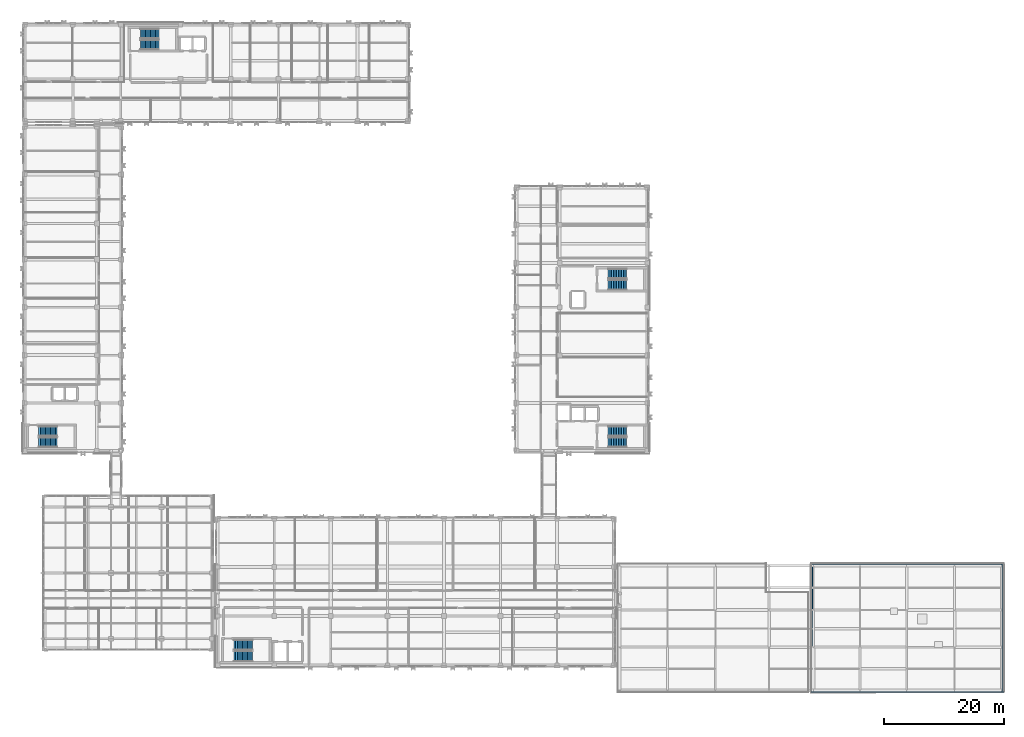
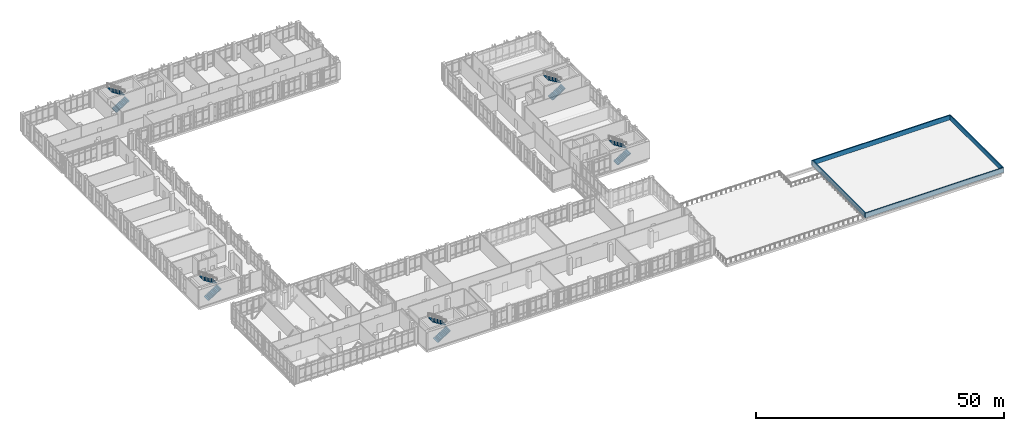
# One storey, part 140 of 165: 10 stair flights, 4 walls, 5 elements without a shape of their own.
"""IFC4 building model written with IfcOpenShell, lengths in metres."""

from ifc_helpers import new_model, si_unit, direction, frame, frame_2d, origin, place, context, subcontext, project, spatial, polyline, rectangle, outline, extrude, material, layer, layer_set, type_object, element, aggregate, save


model = new_model("IFC4")

# Units and contexts
model_context = context("Model", 3, precision=1e-05, world=origin(), true_north=direction((0.0, 1.0)))
body_context = subcontext(model_context, "Body", "Model", "MODEL_VIEW")
ifc_project = project(units=[si_unit("LENGTHUNIT", "METRE"), si_unit("AREAUNIT", "SQUARE_METRE"), si_unit("VOLUMEUNIT", "CUBIC_METRE"), si_unit("PLANEANGLEUNIT", "RADIAN"), si_unit("MASSUNIT", "GRAM", prefix="KILO")], contexts=[model_context])

# Site, building, storey
site_placement = place(None, origin())
site = spatial("IfcSite", under=ifc_project, at=site_placement, CompositionType="ELEMENT")
building_placement = place(site_placement, origin())
building = spatial("IfcBuilding", under=site, at=building_placement, Name="Qalavern Law Courts", CompositionType="ELEMENT")
storey_placement = place(building_placement, frame((0.0, 0.0, 14.39990234375)))
storey = spatial("IfcBuildingStorey", under=building, at=storey_placement, Name="L03", CompositionType="ELEMENT", Elevation=14.39990234375)

# Walls
ifc_material_1 = material(Name="Concrete C40/50", Category="concrete")
ifc_layer = layer(ifc_material_1, 0.25)
ifc_layer_set = layer_set([ifc_layer], Name="Concrete C40/50")
wall_type = type_object("IfcWallType", Name="ENV-PAR-250", PredefinedType="PARAPET", material=ifc_layer_set)
wall_1_placement = place(storey_placement, frame((133.800048828125, 1.125, 0.0), z_axis=(0.0, 0.0, 1.0), x_axis=(1.0, 0.0, 0.0)))
element("IfcWall", 1, at=wall_1_placement, inside=storey, type_object=wall_type, Name="V6 roof parapet L03 S", PredefinedType="PARAPET", context=body_context, shape_type="SweptSolid", body=[
    extrude(rectangle(XDim=32.199951171875, YDim=0.25, at=frame_2d((16.10009765625, 0.0))), origin(), (0.0, 0.0, 1.0), 1.150146484375),
])
wall_2_placement = place(storey_placement, frame((165.875, 1.25, 0.0), z_axis=(0.0, 0.0, 1.0), x_axis=(0.0, 1.0, 0.0)))
element("IfcWall", 2, at=wall_2_placement, inside=storey, type_object=wall_type, Name="V6 roof parapet L03 E", PredefinedType="PARAPET", context=body_context, shape_type="SweptSolid", body=[
    extrude(rectangle(XDim=21.10009765625, YDim=0.25, at=frame_2d((10.550048828125, 0.0))), origin(), (0.0, 0.0, 1.0), 1.150146484375),
])
wall_3_placement = place(storey_placement, frame((166.0, 22.47509765625, 0.0), z_axis=(0.0, 0.0, 1.0), x_axis=(-1.0, 0.0, 0.0)))
element("IfcWall", 3, at=wall_3_placement, inside=storey, type_object=wall_type, Name="V6 roof parapet L03 N", PredefinedType="PARAPET", context=body_context, shape_type="SweptSolid", body=[
    extrude(rectangle(XDim=32.199951171875, YDim=0.25, at=frame_2d((16.10009765625, 0.0))), origin(), (0.0, 0.0, 1.0), 1.150146484375),
])
wall_4_placement = place(storey_placement, frame((133.925048828125, 22.35009765625, 0.0), z_axis=(0.0, 0.0, 1.0), x_axis=(0.0, -1.0, 0.0)))
element("IfcWall", 4, at=wall_4_placement, inside=storey, type_object=wall_type, Name="V6 roof parapet L03 W", PredefinedType="PARAPET", context=body_context, shape_type="SweptSolid", body=[
    extrude(rectangle(XDim=21.10009765625, YDim=0.25, at=frame_2d((10.550048828125, 0.0))), origin(), (0.0, 0.0, 1.0), 1.150146484375),
])

# Stair, stair flights
ifc_material_2 = material(Name="Concrete C35/45", Category="concrete")
stair_type_1 = type_object("IfcStairType", Name="INT-STAIR-1700", PredefinedType="HALF_TURN_STAIR", material=ifc_material_2)
stair_1_placement = place(storey_placement, origin())
stair_1 = element("IfcStair", 5, at=stair_1_placement, inside=storey, type_object=stair_type_1, Name="L03 ST-K1A", PredefinedType="HALF_TURN_STAIR")
stair_flight_type_1 = type_object("IfcStairFlightType", Name="INT-FLIGHT-1700", PredefinedType="STRAIGHT", material=ifc_material_2)
stair_flight_1_placement = place(storey_placement, frame((99.89990234375, 42.85009765625, 0.0), z_axis=(0.0, 0.0, 1.0), x_axis=(1.0, 0.0, 0.0)))
stair_flight_1 = element("IfcStairFlight", 6, at=stair_flight_1_placement, type_object=stair_flight_type_1, Name="ST-K1A flight 1", NumberOfRisers=12, NumberOfTreads=11, PredefinedType="STRAIGHT", RiserHeight=0.175, TreadLength=0.28, context=body_context, shape_type="SweptSolid", body=[
    extrude(outline(polyline([(0.0, 0.0), (0.0, 0.175048828125), (0.280029296875, 0.175048828125), (0.280029296875, 0.35009765625), (0.56005859375, 0.35009765625), (0.56005859375, 0.52490234375), (0.840087890625, 0.52490234375), (0.840087890625, 0.699951171875), (1.1201171875, 0.699951171875), (1.1201171875, 0.875), (1.39990234375, 0.875), (1.39990234375, 1.050048828125), (1.679931640625, 1.050048828125), (1.679931640625, 1.22509765625), (1.9599609375, 1.22509765625), (1.9599609375, 1.39990234375), (2.239990234375, 1.39990234375), (2.239990234375, 1.574951171875), (2.52001953125, 1.574951171875), (2.52001953125, 1.75), (2.800048828125, 1.75), (2.800048828125, 1.925048828125), (3.080078125, 1.925048828125), (3.080078125, 2.10009765625), (3.080078125, 1.748291015625), (0.28271484375, 0.0), (0.0, 0.0)])), frame((0.0, 0.85009765625, 0.0), z_axis=(0.0, -1.0, 0.0), x_axis=(1.0, 0.0, 0.0)), (0.0, 0.0, 1.0), 1.699951171875),
])
stair_flight_2_placement = place(storey_placement, frame((102.97998046875, 44.699951171875, 2.10009765625), z_axis=(0.0, 0.0, 1.0), x_axis=(-1.0, 0.0, 0.0)))
stair_flight_2 = element("IfcStairFlight", 7, at=stair_flight_2_placement, type_object=stair_flight_type_1, Name="ST-K1A flight 2", NumberOfRisers=12, NumberOfTreads=11, PredefinedType="STRAIGHT", RiserHeight=0.175, TreadLength=0.28, context=body_context, shape_type="SweptSolid", body=[
    extrude(outline(polyline([(0.0, 0.0), (0.0, 0.175048828125), (0.280029296875, 0.175048828125), (0.280029296875, 0.35009765625), (0.56005859375, 0.35009765625), (0.56005859375, 0.52490234375), (0.840087890625, 0.52490234375), (0.840087890625, 0.699951171875), (1.1201171875, 0.699951171875), (1.1201171875, 0.875), (1.39990234375, 0.875), (1.39990234375, 1.050048828125), (1.679931640625, 1.050048828125), (1.679931640625, 1.22509765625), (1.9599609375, 1.22509765625), (1.9599609375, 1.39990234375), (2.239990234375, 1.39990234375), (2.239990234375, 1.574951171875), (2.52001953125, 1.574951171875), (2.52001953125, 1.75), (2.800048828125, 1.75), (2.800048828125, 1.925048828125), (3.080078125, 1.925048828125), (3.080078125, 2.10009765625), (3.080078125, 1.748291015625), (0.28271484375, 0.0), (0.0, 0.0)])), frame((0.0, 0.85009765625, 0.0), z_axis=(0.0, -1.0, 0.0), x_axis=(1.0, 0.0, 0.0)), (0.0, 0.0, 1.0), 1.699951171875),
])
aggregate(stair_1, [stair_flight_1, stair_flight_2])

stair_2_placement = place(storey_placement, origin())
stair_2 = element("IfcStair", 8, at=stair_2_placement, inside=storey, type_object=stair_type_1, Name="L03 ST-K1B", PredefinedType="HALF_TURN_STAIR")
stair_flight_3_placement = place(storey_placement, frame((99.89990234375, 69.14990234375, 0.0), z_axis=(0.0, 0.0, 1.0), x_axis=(1.0, 0.0, 0.0)))
stair_flight_3 = element("IfcStairFlight", 9, at=stair_flight_3_placement, type_object=stair_flight_type_1, Name="ST-K1B flight 1", NumberOfRisers=12, NumberOfTreads=11, PredefinedType="STRAIGHT", RiserHeight=0.175, TreadLength=0.28, context=body_context, shape_type="SweptSolid", body=[
    extrude(outline(polyline([(0.0, 0.0), (0.0, 0.175048828125), (0.280029296875, 0.175048828125), (0.280029296875, 0.35009765625), (0.56005859375, 0.35009765625), (0.56005859375, 0.52490234375), (0.840087890625, 0.52490234375), (0.840087890625, 0.699951171875), (1.1201171875, 0.699951171875), (1.1201171875, 0.875), (1.39990234375, 0.875), (1.39990234375, 1.050048828125), (1.679931640625, 1.050048828125), (1.679931640625, 1.22509765625), (1.9599609375, 1.22509765625), (1.9599609375, 1.39990234375), (2.239990234375, 1.39990234375), (2.239990234375, 1.574951171875), (2.52001953125, 1.574951171875), (2.52001953125, 1.75), (2.800048828125, 1.75), (2.800048828125, 1.925048828125), (3.080078125, 1.925048828125), (3.080078125, 2.10009765625), (3.080078125, 1.748291015625), (0.28271484375, 0.0), (0.0, 0.0)])), frame((0.0, 0.85009765625, 0.0), z_axis=(0.0, -1.0, 0.0), x_axis=(1.0, 0.0, 0.0)), (0.0, 0.0, 1.0), 1.699951171875),
])
stair_flight_4_placement = place(storey_placement, frame((102.97998046875, 71.0, 2.10009765625), z_axis=(0.0, 0.0, 1.0), x_axis=(-1.0, 0.0, 0.0)))
stair_flight_4 = element("IfcStairFlight", 10, at=stair_flight_4_placement, type_object=stair_flight_type_1, Name="ST-K1B flight 2", NumberOfRisers=12, NumberOfTreads=11, PredefinedType="STRAIGHT", RiserHeight=0.175, TreadLength=0.28, context=body_context, shape_type="SweptSolid", body=[
    extrude(outline(polyline([(0.0, 0.0), (0.0, 0.175048828125), (0.280029296875, 0.175048828125), (0.280029296875, 0.35009765625), (0.56005859375, 0.35009765625), (0.56005859375, 0.52490234375), (0.840087890625, 0.52490234375), (0.840087890625, 0.699951171875), (1.1201171875, 0.699951171875), (1.1201171875, 0.875), (1.39990234375, 0.875), (1.39990234375, 1.050048828125), (1.679931640625, 1.050048828125), (1.679931640625, 1.22509765625), (1.9599609375, 1.22509765625), (1.9599609375, 1.39990234375), (2.239990234375, 1.39990234375), (2.239990234375, 1.574951171875), (2.52001953125, 1.574951171875), (2.52001953125, 1.75), (2.800048828125, 1.75), (2.800048828125, 1.925048828125), (3.080078125, 1.925048828125), (3.080078125, 2.10009765625), (3.080078125, 1.748291015625), (0.28271484375, 0.0), (0.0, 0.0)])), frame((0.0, 0.85009765625, 0.0), z_axis=(0.0, -1.0, 0.0), x_axis=(1.0, 0.0, 0.0)), (0.0, 0.0, 1.0), 1.699951171875),
])
aggregate(stair_2, [stair_flight_3, stair_flight_4])

stair_3_placement = place(storey_placement, origin())
stair_3 = element("IfcStair", 11, at=stair_3_placement, inside=storey, type_object=stair_type_1, Name="L03 ST-K2", PredefinedType="HALF_TURN_STAIR")
stair_flight_5_placement = place(storey_placement, frame((4.699951171875, 42.85009765625, 0.0), z_axis=(0.0, 0.0, 1.0), x_axis=(1.0, 0.0, 0.0)))
stair_flight_5 = element("IfcStairFlight", 12, at=stair_flight_5_placement, type_object=stair_flight_type_1, Name="ST-K2 flight 1", NumberOfRisers=12, NumberOfTreads=11, PredefinedType="STRAIGHT", RiserHeight=0.175, TreadLength=0.28, context=body_context, shape_type="SweptSolid", body=[
    extrude(outline(polyline([(0.0, 0.0), (0.0, 0.175048828125), (0.280029296875, 0.175048828125), (0.280029296875, 0.35009765625), (0.56005859375, 0.35009765625), (0.56005859375, 0.52490234375), (0.840087890625, 0.52490234375), (0.840087890625, 0.699951171875), (1.1201171875, 0.699951171875), (1.1201171875, 0.875), (1.39990234375, 0.875), (1.39990234375, 1.050048828125), (1.679931640625, 1.050048828125), (1.679931640625, 1.22509765625), (1.9599609375, 1.22509765625), (1.9599609375, 1.39990234375), (2.239990234375, 1.39990234375), (2.239990234375, 1.574951171875), (2.52001953125, 1.574951171875), (2.52001953125, 1.75), (2.800048828125, 1.75), (2.800048828125, 1.925048828125), (3.080078125, 1.925048828125), (3.080078125, 2.10009765625), (3.080078125, 1.748291015625), (0.28271484375, 0.0), (0.0, 0.0)])), frame((0.0, 0.85009765625, 0.0), z_axis=(0.0, -1.0, 0.0), x_axis=(1.0, 0.0, 0.0)), (0.0, 0.0, 1.0), 1.699951171875),
])
stair_flight_6_placement = place(storey_placement, frame((7.780029296875, 44.699951171875, 2.10009765625), z_axis=(0.0, 0.0, 1.0), x_axis=(-1.0, 0.0, 0.0)))
stair_flight_6 = element("IfcStairFlight", 13, at=stair_flight_6_placement, type_object=stair_flight_type_1, Name="ST-K2 flight 2", NumberOfRisers=12, NumberOfTreads=11, PredefinedType="STRAIGHT", RiserHeight=0.175, TreadLength=0.28, context=body_context, shape_type="SweptSolid", body=[
    extrude(outline(polyline([(0.0, 0.0), (0.0, 0.175048828125), (0.280029296875, 0.175048828125), (0.280029296875, 0.35009765625), (0.56005859375, 0.35009765625), (0.56005859375, 0.52490234375), (0.840087890625, 0.52490234375), (0.840087890625, 0.699951171875), (1.1201171875, 0.699951171875), (1.1201171875, 0.875), (1.39990234375, 0.875), (1.39990234375, 1.050048828125), (1.679931640625, 1.050048828125), (1.679931640625, 1.22509765625), (1.9599609375, 1.22509765625), (1.9599609375, 1.39990234375), (2.239990234375, 1.39990234375), (2.239990234375, 1.574951171875), (2.52001953125, 1.574951171875), (2.52001953125, 1.75), (2.800048828125, 1.75), (2.800048828125, 1.925048828125), (3.080078125, 1.925048828125), (3.080078125, 2.10009765625), (3.080078125, 1.748291015625), (0.28271484375, 0.0), (0.0, 0.0)])), frame((0.0, 0.85009765625, 0.0), z_axis=(0.0, -1.0, 0.0), x_axis=(1.0, 0.0, 0.0)), (0.0, 0.0, 1.0), 1.699951171875),
])
aggregate(stair_3, [stair_flight_5, stair_flight_6])

stair_4_placement = place(storey_placement, origin())
stair_4 = element("IfcStair", 14, at=stair_4_placement, inside=storey, type_object=stair_type_1, Name="L03 ST-K3", PredefinedType="HALF_TURN_STAIR")
stair_flight_7_placement = place(storey_placement, frame((21.699951171875, 109.300048828125, 0.0), z_axis=(0.0, 0.0, 1.0), x_axis=(1.0, 0.0, 0.0)))
stair_flight_7 = element("IfcStairFlight", 15, at=stair_flight_7_placement, type_object=stair_flight_type_1, Name="ST-K3 flight 1", NumberOfRisers=12, NumberOfTreads=11, PredefinedType="STRAIGHT", RiserHeight=0.175, TreadLength=0.28, context=body_context, shape_type="SweptSolid", body=[
    extrude(outline(polyline([(0.0, 0.0), (0.0, 0.175048828125), (0.280029296875, 0.175048828125), (0.280029296875, 0.35009765625), (0.56005859375, 0.35009765625), (0.56005859375, 0.52490234375), (0.840087890625, 0.52490234375), (0.840087890625, 0.699951171875), (1.1201171875, 0.699951171875), (1.1201171875, 0.875), (1.39990234375, 0.875), (1.39990234375, 1.050048828125), (1.679931640625, 1.050048828125), (1.679931640625, 1.22509765625), (1.9599609375, 1.22509765625), (1.9599609375, 1.39990234375), (2.239990234375, 1.39990234375), (2.239990234375, 1.574951171875), (2.52001953125, 1.574951171875), (2.52001953125, 1.75), (2.800048828125, 1.75), (2.800048828125, 1.925048828125), (3.080078125, 1.925048828125), (3.080078125, 2.10009765625), (3.080078125, 1.748291015625), (0.28271484375, 0.0), (0.0, 0.0)])), frame((0.0, 0.85009765625, 0.0), z_axis=(0.0, -1.0, 0.0), x_axis=(1.0, 0.0, 0.0)), (0.0, 0.0, 1.0), 1.699951171875),
])
stair_flight_8_placement = place(storey_placement, frame((24.780029296875, 111.14990234375, 2.10009765625), z_axis=(0.0, 0.0, 1.0), x_axis=(-1.0, 0.0, 0.0)))
stair_flight_8 = element("IfcStairFlight", 16, at=stair_flight_8_placement, type_object=stair_flight_type_1, Name="ST-K3 flight 2", NumberOfRisers=12, NumberOfTreads=11, PredefinedType="STRAIGHT", RiserHeight=0.175, TreadLength=0.28, context=body_context, shape_type="SweptSolid", body=[
    extrude(outline(polyline([(0.0, 0.0), (0.0, 0.175048828125), (0.280029296875, 0.175048828125), (0.280029296875, 0.35009765625), (0.56005859375, 0.35009765625), (0.56005859375, 0.52490234375), (0.840087890625, 0.52490234375), (0.840087890625, 0.699951171875), (1.1201171875, 0.699951171875), (1.1201171875, 0.875), (1.39990234375, 0.875), (1.39990234375, 1.050048828125), (1.679931640625, 1.050048828125), (1.679931640625, 1.22509765625), (1.9599609375, 1.22509765625), (1.9599609375, 1.39990234375), (2.239990234375, 1.39990234375), (2.239990234375, 1.574951171875), (2.52001953125, 1.574951171875), (2.52001953125, 1.75), (2.800048828125, 1.75), (2.800048828125, 1.925048828125), (3.080078125, 1.925048828125), (3.080078125, 2.10009765625), (3.080078125, 1.748291015625), (0.28271484375, 0.0), (0.0, 0.0)])), frame((0.0, 0.85009765625, 0.0), z_axis=(0.0, -1.0, 0.0), x_axis=(1.0, 0.0, 0.0)), (0.0, 0.0, 1.0), 1.699951171875),
])
aggregate(stair_4, [stair_flight_7, stair_flight_8])

stair_type_2 = type_object("IfcStairType", Name="INT-STAIR-1750", PredefinedType="HALF_TURN_STAIR", material=ifc_material_2)
stair_5_placement = place(storey_placement, origin())
stair_5 = element("IfcStair", 17, at=stair_5_placement, inside=storey, type_object=stair_type_2, Name="L03 ST-K4", PredefinedType="HALF_TURN_STAIR")
stair_flight_type_2 = type_object("IfcStairFlightType", Name="INT-FLIGHT-1750", PredefinedType="STRAIGHT", material=ifc_material_2)
stair_flight_9_placement = place(storey_placement, frame((37.35009765625, 7.074951171875, 0.0), z_axis=(0.0, 0.0, 1.0), x_axis=(1.0, 0.0, 0.0)))
stair_flight_9 = element("IfcStairFlight", 18, at=stair_flight_9_placement, type_object=stair_flight_type_2, Name="ST-K4 flight 1", NumberOfRisers=12, NumberOfTreads=11, PredefinedType="STRAIGHT", RiserHeight=0.175, TreadLength=0.28, context=body_context, shape_type="SweptSolid", body=[
    extrude(outline(polyline([(0.0, 0.0), (0.0, 0.175048828125), (0.280029296875, 0.175048828125), (0.280029296875, 0.35009765625), (0.56005859375, 0.35009765625), (0.56005859375, 0.52490234375), (0.840087890625, 0.52490234375), (0.840087890625, 0.699951171875), (1.1201171875, 0.699951171875), (1.1201171875, 0.875), (1.39990234375, 0.875), (1.39990234375, 1.050048828125), (1.679931640625, 1.050048828125), (1.679931640625, 1.22509765625), (1.9599609375, 1.22509765625), (1.9599609375, 1.39990234375), (2.239990234375, 1.39990234375), (2.239990234375, 1.574951171875), (2.52001953125, 1.574951171875), (2.52001953125, 1.75), (2.800048828125, 1.75), (2.800048828125, 1.925048828125), (3.080078125, 1.925048828125), (3.080078125, 2.10009765625), (3.080078125, 1.748291015625), (0.28271484375, 0.0), (0.0, 0.0)])), frame((0.0, 0.875, 0.0), z_axis=(0.0, -1.0, 0.0), x_axis=(1.0, 0.0, 0.0)), (0.0, 0.0, 1.0), 1.75),
])
stair_flight_10_placement = place(storey_placement, frame((40.429931640625, 8.97509765625, 2.10009765625), z_axis=(0.0, 0.0, 1.0), x_axis=(-1.0, 0.0, 0.0)))
stair_flight_10 = element("IfcStairFlight", 19, at=stair_flight_10_placement, type_object=stair_flight_type_2, Name="ST-K4 flight 2", NumberOfRisers=12, NumberOfTreads=11, PredefinedType="STRAIGHT", RiserHeight=0.175, TreadLength=0.28, context=body_context, shape_type="SweptSolid", body=[
    extrude(outline(polyline([(0.0, 0.0), (0.0, 0.175048828125), (0.280029296875, 0.175048828125), (0.280029296875, 0.35009765625), (0.56005859375, 0.35009765625), (0.56005859375, 0.52490234375), (0.840087890625, 0.52490234375), (0.840087890625, 0.699951171875), (1.1201171875, 0.699951171875), (1.1201171875, 0.875), (1.39990234375, 0.875), (1.39990234375, 1.050048828125), (1.679931640625, 1.050048828125), (1.679931640625, 1.22509765625), (1.9599609375, 1.22509765625), (1.9599609375, 1.39990234375), (2.239990234375, 1.39990234375), (2.239990234375, 1.574951171875), (2.52001953125, 1.574951171875), (2.52001953125, 1.75), (2.800048828125, 1.75), (2.800048828125, 1.925048828125), (3.080078125, 1.925048828125), (3.080078125, 2.10009765625), (3.080078125, 1.748291015625), (0.28271484375, 0.0), (0.0, 0.0)])), frame((0.0, 0.875, 0.0), z_axis=(0.0, -1.0, 0.0), x_axis=(1.0, 0.0, 0.0)), (0.0, 0.0, 1.0), 1.75),
])
aggregate(stair_5, [stair_flight_9, stair_flight_10])

save(model, "model.ifc")
